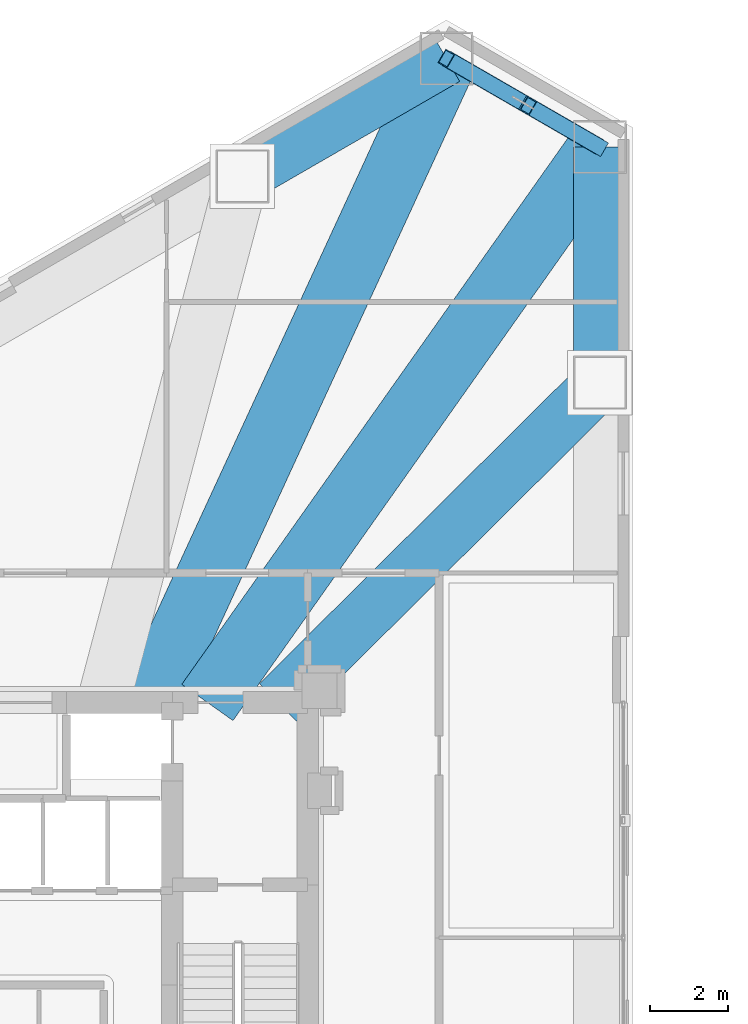
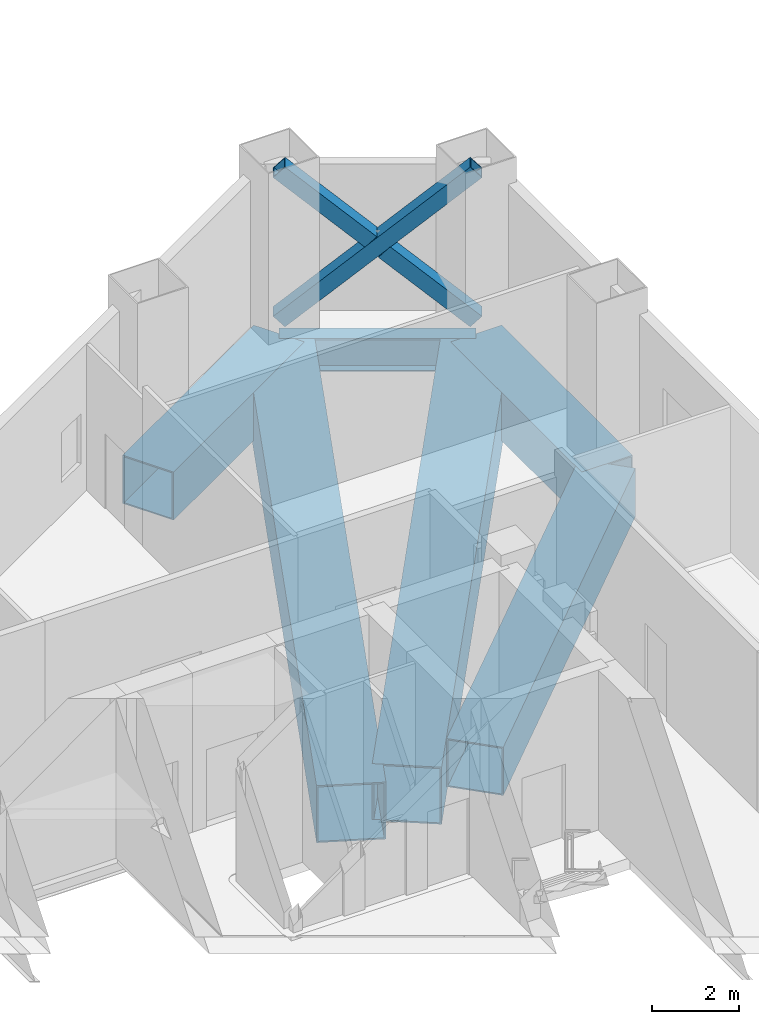
# One storey, part 14 of 29: 6 beams, 3 members.
"""IFC4 building model written with IfcOpenShell, lengths in metres."""

from ifc_helpers import new_model, si_unit, direction, frame, origin, origin_2d, place, context, subcontext, project, spatial, hollow_rectangle, i_section, extrude, material, material_profile, profile_set, type_object, element, save


model = new_model("IFC4")

# Units and contexts
model_context = context("Model", 3, precision=1e-05, world=origin(), true_north=direction((0.0, 1.0)))
body_context = subcontext(model_context, "Body", "Model", "MODEL_VIEW")
ifc_project = project(units=[si_unit("LENGTHUNIT", "METRE"), si_unit("AREAUNIT", "SQUARE_METRE"), si_unit("VOLUMEUNIT", "CUBIC_METRE"), si_unit("PLANEANGLEUNIT", "RADIAN"), si_unit("MASSUNIT", "GRAM", prefix="KILO")], contexts=[model_context])

# Site, building, storey
site_placement = place(None, origin())
site = spatial("IfcSite", under=ifc_project, at=site_placement, CompositionType="ELEMENT")
building_placement = place(site_placement, origin())
building = spatial("IfcBuilding", under=site, at=building_placement, Name="Mersakhor Tower and Convention Hall", CompositionType="ELEMENT")
storey_placement = place(building_placement, frame((0.0, 0.0, 9.60009765625)))
storey = spatial("IfcBuildingStorey", under=building, at=storey_placement, Name="L02", CompositionType="ELEMENT", Elevation=9.60009765625)

# Beams
ifc_material_1 = material(Name="Steel S460", Category="steel")
ifc_material_profile_1 = material_profile(ifc_material_1, i_section(OverallWidth=0.42041015625, OverallDepth=0.9208984375, WebThickness=0.021484375, FlangeThickness=0.03662109375, at=origin_2d()), Name="UB 914x419x388")
ifc_profile_set_1 = profile_set([ifc_material_profile_1], Name="Steel S460")
beam_type_1 = type_object("IfcBeamType", Name="BM-TR-914H", PredefinedType="BEAM", material=ifc_profile_set_1)
beam_1_placement = place(storey_placement, frame((39.3369140625, 49.172607421875, -0.780029296875), z_axis=(0.86602002524, -0.500009315796, 0.0), x_axis=(0.500009315796, 0.86602002524, 0.0)))
element("IfcBeam", 1, at=beam_1_placement, inside=storey, type_object=beam_type_1, Name="L02 Chamfer Transfer Girder CH-1", PredefinedType="BEAM", context=body_context, shape_type="SweptSolid", body=[
    extrude(i_section(OverallWidth=0.42041015625, OverallDepth=0.9208984375, WebThickness=0.021484375, FlangeThickness=0.03662109375, at=origin_2d()), origin(), (0.0, 0.0, 1.0), 4.5185546875),
])
ifc_material_2 = material(Name="Steel S460", Category="steel")
ifc_material_profile_2 = material_profile(ifc_material_2, hollow_rectangle(XDim=1.35009765625, YDim=1.35009765625, WallThickness=0.035888671875, at=origin_2d()), Name="SHS 1350x1350x36")
ifc_profile_set_2 = profile_set([ifc_material_profile_2], Name="Steel S460")
beam_type_2 = type_object("IfcBeamType", Name="BM-TR-BOX1350", PredefinedType="BEAM", material=ifc_profile_set_2)
beam_2_placement = place(storey_placement, frame((34.13330078125, 46.168212890625, -0.9951171875), z_axis=(0.866019133895, 0.500010859609, 0.0), x_axis=(-0.500010859609, 0.866019133895, 0.0)))
element("IfcBeam", 2, at=beam_2_placement, inside=storey, type_object=beam_type_2, Name="L02 Podium Cantilever Transfer Girder TB-F1-3", PredefinedType="BEAM", context=body_context, shape_type="SweptSolid", body=[
    extrude(hollow_rectangle(XDim=1.35009765625, YDim=1.35009765625, WallThickness=0.035888671875, at=origin_2d()), origin(), (0.0, 0.0, 1.0), 6.008544921875),
])
beam_3_placement = place(storey_placement, frame((43.25, 46.913330078125, -0.9951171875), z_axis=(0.0, -1.0, 0.0), x_axis=(1.0, 0.0, 0.0)))
element("IfcBeam", 3, at=beam_3_placement, inside=storey, type_object=beam_type_2, Name="L02 Podium Cantilever Transfer Girder TB-F2-1", PredefinedType="BEAM", context=body_context, shape_type="SweptSolid", body=[
    extrude(hollow_rectangle(XDim=1.35009765625, YDim=1.35009765625, WallThickness=0.035888671875, at=origin_2d()), origin(), (0.0, 0.0, 1.0), 6.0087890625),
])
beam_4_placement = place(storey_placement, frame((35.040283203125, 32.75, -0.9951171875), z_axis=(0.709486918074, 0.704718605602, 0.0), x_axis=(-0.704718605602, 0.709486918074, 0.0)))
element("IfcBeam", 4, at=beam_4_placement, inside=storey, type_object=beam_type_2, Name="L02 Core-to-Perimeter Transfer Girder CTR-F2-N1", PredefinedType="BEAM", context=body_context, shape_type="SweptSolid", body=[
    extrude(hollow_rectangle(XDim=1.35009765625, YDim=1.35009765625, WallThickness=0.035888671875, at=origin_2d()), origin(), (0.0, 0.0, 1.0), 11.5712890625),
])
ifc_material_3 = material(Name="Steel S460", Category="steel")
ifc_material_profile_3 = material_profile(ifc_material_3, hollow_rectangle(XDim=1.60009765625, YDim=1.60009765625, WallThickness=0.0400390625, at=origin_2d()), Name="SHS 1600x1600x40")
ifc_profile_set_3 = profile_set([ifc_material_profile_3], Name="Steel S460")
beam_type_3 = type_object("IfcBeamType", Name="BM-TR-BOX1600", PredefinedType="BEAM", material=ifc_profile_set_3)
beam_5_placement = place(storey_placement, frame((31.76611328125, 32.75, -1.1201171875), z_axis=(0.418654039532, 0.90814580062, 0.0), x_axis=(-0.90814580062, 0.418654039532, 0.0)))
element("IfcBeam", 5, at=beam_5_placement, inside=storey, type_object=beam_type_3, Name="L02 Core-to-Perimeter Transfer Girder CTR-F1-N3", PredefinedType="BEAM", context=body_context, shape_type="SweptSolid", body=[
    extrude(hollow_rectangle(XDim=1.60009765625, YDim=1.60009765625, WallThickness=0.0400390625, at=origin_2d()), origin(), (0.0, 0.0, 1.0), 18.083740234375),
])
beam_6_placement = place(storey_placement, frame((33.240478515625, 32.75, -1.1201171875), z_axis=(0.577140168777, 0.816645103814, 0.0), x_axis=(-0.816645103814, 0.577140168777, 0.0)))
element("IfcBeam", 6, at=beam_6_placement, inside=storey, type_object=beam_type_3, Name="L02 Core-to-Perimeter Transfer Girder CTR-F2-N0", PredefinedType="BEAM", context=body_context, shape_type="SweptSolid", body=[
    extrude(hollow_rectangle(XDim=1.60009765625, YDim=1.60009765625, WallThickness=0.0400390625, at=origin_2d()), origin(), (0.0, 0.0, 1.0), 17.34326171875),
])

# Members
ifc_material_4 = material(Name="Steel S460", Category="steel")
ifc_material_profile_4 = material_profile(ifc_material_4, hollow_rectangle(XDim=0.39990234375, YDim=0.39990234375, WallThickness=0.02490234375, at=origin_2d()), Name="SHS 400x400x25")
ifc_profile_set_4 = profile_set([ifc_material_profile_4], Name="Steel S460")
member_type = type_object("IfcMemberType", Name="MB-BRC-SHS400", PredefinedType="BRACE", material=ifc_profile_set_4)
member_placement = place(storey_placement, frame((39.3369140625, 49.172607421875, 0.14990234375), z_axis=(0.635720518474, -0.367042530444, 0.679072310756), x_axis=(0.500009315796, 0.86602002524, 0.0)))
element("IfcMember", 7, at=member_placement, inside=storey, type_object=member_type, Name="L02 Chamfer Braced Frame Diagonal CB-1A", PredefinedType="BRACE", context=body_context, shape_type="SweptSolid", body=[
    extrude(hollow_rectangle(XDim=0.39990234375, YDim=0.39990234375, WallThickness=0.02490234375, at=origin_2d()), origin(), (0.0, 0.0, 1.0), 6.1552734375),
])
for number, where, z_axis, x_axis, name in (
    (8, (43.25, 46.913330078125, 0.14990234375), (-0.635747574185, 0.367016368286, 0.679061121938), (-0.499966626499, -0.866044671127, 0.0), "L02 Chamfer Braced Frame Diagonal CB-1B Lower Half"),
    (9, (41.160888671875, 48.119384765625, 2.381591796875), (-0.635727717529, 0.367089997781, 0.679039912446), (-0.500053563446, -0.865994476706, 0.0), "L02 Chamfer Braced Frame Diagonal CB-1B Upper Half"),
):
    element("IfcMember", number, at=place(storey_placement, frame(where, z_axis=z_axis, x_axis=x_axis)), inside=storey, type_object=member_type, Name=name, PredefinedType="BRACE", context=body_context, shape_type="SweptSolid", body=[
        extrude(hollow_rectangle(XDim=0.39990234375, YDim=0.39990234375, WallThickness=0.02490234375, at=origin_2d()), origin(), (0.0, 0.0, 1.0), 2.869140625),
    ])

save(model, "model.ifc")
